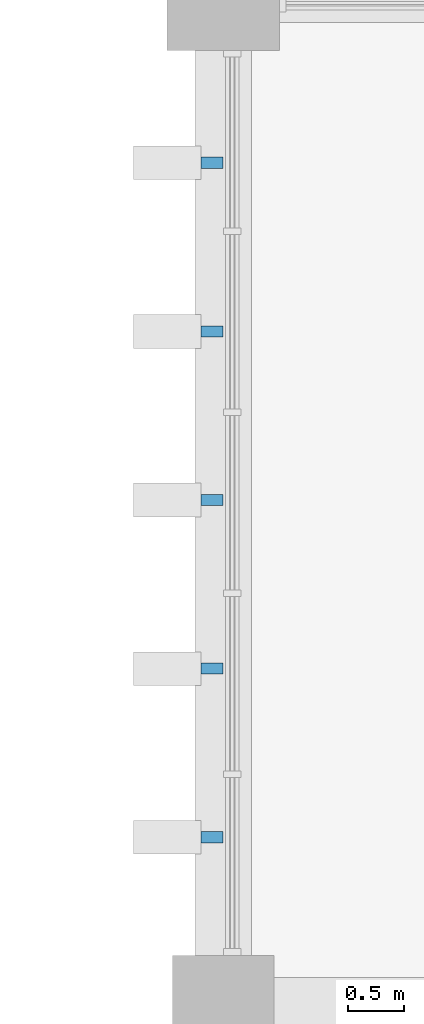
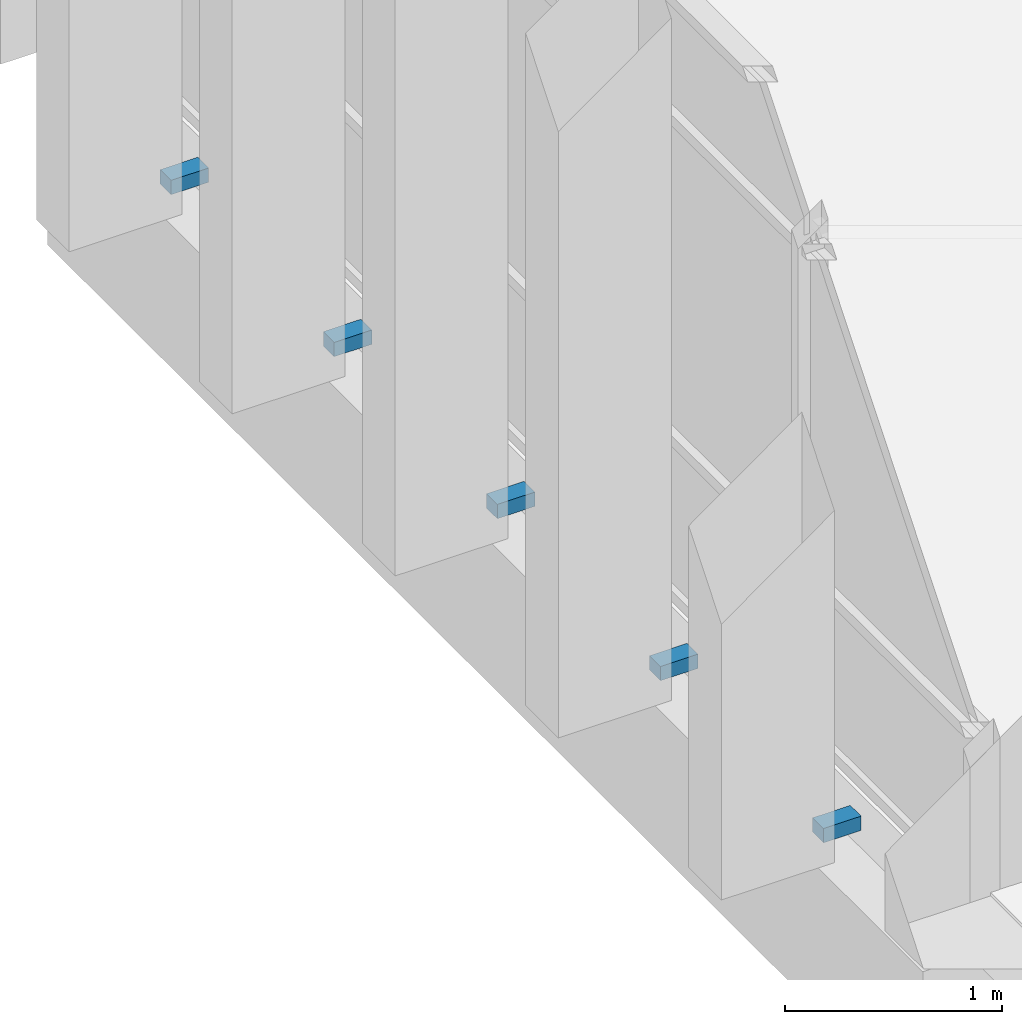
# One storey, part 56 of 74: 5 discrete accessories.
"""IFC4 building model written with IfcOpenShell, lengths in metres."""

import ifcopenshell
import ifcopenshell.guid

model = None  # the IFC model being written
_history = None  # IfcOwnerHistory: only IFC2X3 demands one
_inside = {}  # id of a spatial element -> (the spatial element, [elements in it])
_under = {}  # id of a project, library or spatial element -> (it, [spatial elements below it])
_declared = {}  # id of a project -> (the project, [libraries it declares])
_typed = {}  # id of a type object -> (the type object, [elements of that type])
_made_of = {}  # id of a material, layer set ... -> (it, [elements and type objects made of it])


def new_model(schema):
    """Start an empty IFC model of exactly this schema.

    Asked for "IFC4X3", IfcOpenShell would pick the latest addendum, in which some entities
    have other attributes; the version numbers below select the first issue.
    IFC2X3 requires an IfcOwnerHistory on every rooted entity: one is made here for all.
    """
    global model, _history
    if schema == "IFC4X3":
        model = ifcopenshell.file(schema_version=(4, 3, 0, 0))
    else:
        model = ifcopenshell.file(schema=schema)
    _inside.clear()
    _under.clear()
    _declared.clear()
    _typed.clear()
    _made_of.clear()
    _history = None
    if model.schema == "IFC2X3":
        org = make("IfcOrganization", Name="unknown")
        user = make(
            "IfcPersonAndOrganization",
            ThePerson=make("IfcPerson", FamilyName="unknown"),
            TheOrganization=org,
        )
        app = make(
            "IfcApplication",
            ApplicationDeveloper=org,
            Version="unknown",
            ApplicationFullName="unknown",
            ApplicationIdentifier="unknown",
        )
        _history = make(
            "IfcOwnerHistory",
            OwningUser=user,
            OwningApplication=app,
            ChangeAction="ADDED",
            CreationDate=0,
        )
    return model


def make(cls, **values):
    """One entity of the class cls with the attributes given. An attribute that is None is left unset."""
    return model.create_entity(
        cls, **{name: value for name, value in values.items() if value is not None}
    )


def rooted(cls, **values):
    """An entity with a GlobalId (a new one), such as an element, a storey or a relation."""
    return make(cls, GlobalId=ifcopenshell.guid.new(), OwnerHistory=_history, **values)


def si_unit(unit_type, name, prefix=None):
    """IfcSIUnit, for example si_unit("LENGTHUNIT", "METRE", prefix="MILLI")."""
    return make("IfcSIUnit", UnitType=unit_type, Prefix=prefix, Name=name)


def assignment(units):
    """IfcUnitAssignment: the units of a project."""
    return None if units is None else make("IfcUnitAssignment", Units=units)


def point(xyz):
    """IfcCartesianPoint."""
    return None if xyz is None else make("IfcCartesianPoint", Coordinates=xyz)


def direction(xyz):
    """IfcDirection."""
    return None if xyz is None else make("IfcDirection", DirectionRatios=xyz)


def frame(location, z_axis=None, x_axis=None):
    """IfcAxis2Placement3D, a coordinate frame: its origin and axes. An axis left out is left unset."""
    return make(
        "IfcAxis2Placement3D",
        Location=point(location),
        Axis=direction(z_axis),
        RefDirection=direction(x_axis),
    )


def origin():
    """The frame at (0, 0, 0) with its axes left unset."""
    return frame((0.0, 0.0, 0.0))


def place(relative_to, where):
    """IfcLocalPlacement: puts the frame where relative to a parent placement (None: the world)."""
    return make(
        "IfcLocalPlacement", PlacementRelTo=relative_to, RelativePlacement=where
    )


def context(
    kind, dimensions, precision=None, world=None, true_north=None, identifier=None
):
    """IfcGeometricRepresentationContext, for example the 3D "Model" context."""
    return make(
        "IfcGeometricRepresentationContext",
        ContextIdentifier=identifier,
        ContextType=kind,
        CoordinateSpaceDimension=dimensions,
        Precision=precision,
        WorldCoordinateSystem=world,
        TrueNorth=true_north,
    )


def subcontext(parent, identifier, kind, view, scale=None):
    """IfcGeometricRepresentationSubContext, for example "Body" below "Model"."""
    return make(
        "IfcGeometricRepresentationSubContext",
        ContextIdentifier=identifier,
        ContextType=kind,
        ParentContext=parent,
        TargetScale=scale,
        TargetView=view,
    )


def project(units=None, contexts=None):
    """IfcProject with its units and contexts."""
    return rooted(
        "IfcProject",
        Name="project",
        RepresentationContexts=contexts,
        UnitsInContext=assignment(units),
    )


def spatial(cls, under=None, at=None, **own):
    """A site, building, storey or space (cls), placed at a placement, below another one or the project."""
    s = rooted(cls, ObjectPlacement=at, **own)
    if under is not None:
        _under.setdefault(under.id(), (under, []))[1].append(s)
    return s


def polyline(points):
    """IfcPolyline through the points."""
    return make("IfcPolyline", Points=[point(p) for p in points])


def outline(outer, holes=None, kind="AREA"):
    """IfcArbitraryClosedProfileDef: a profile drawn as a closed curve; with holes, ...WithVoids."""
    if holes is None:
        return make("IfcArbitraryClosedProfileDef", ProfileType=kind, OuterCurve=outer)
    return make(
        "IfcArbitraryProfileDefWithVoids",
        ProfileType=kind,
        OuterCurve=outer,
        InnerCurves=holes,
    )


def extrude(swept, where, along, depth):
    """IfcExtrudedAreaSolid: the profile swept, set in the frame where, extruded along a direction by depth."""
    return make(
        "IfcExtrudedAreaSolid",
        SweptArea=swept,
        Position=where,
        ExtrudedDirection=direction(along),
        Depth=depth,
    )


def shape(context_of_items, identifier, shape_type, items):
    """IfcShapeRepresentation: the items that make up one representation, for example the "Body"."""
    return make(
        "IfcShapeRepresentation",
        ContextOfItems=context_of_items,
        RepresentationIdentifier=identifier,
        RepresentationType=shape_type,
        Items=items,
    )


def source(mapping_origin, context_of_items, identifier, shape_type, items):
    """IfcRepresentationMap: a shape defined once, which mapped items show again and again."""
    return make(
        "IfcRepresentationMap",
        MappingOrigin=mapping_origin,
        MappedRepresentation=shape(context_of_items, identifier, shape_type, items),
    )


def transform(
    local_origin,
    x_axis=None,
    y_axis=None,
    z_axis=None,
    scale=None,
    scale2=None,
    scale3=None,
    uniform=True,
):
    """IfcCartesianTransformationOperator3D, or its non-uniform kind. x_axis, y_axis, z_axis: its Axis1, 2, 3."""
    if uniform:
        return make(
            "IfcCartesianTransformationOperator3D",
            Axis1=direction(x_axis),
            Axis2=direction(y_axis),
            LocalOrigin=point(local_origin),
            Scale=scale,
            Axis3=direction(z_axis),
        )
    return make(
        "IfcCartesianTransformationOperator3DnonUniform",
        Axis1=direction(x_axis),
        Axis2=direction(y_axis),
        LocalOrigin=point(local_origin),
        Scale=scale,
        Axis3=direction(z_axis),
        Scale2=scale2,
        Scale3=scale3,
    )


def mapped(mapping_source, mapping_target):
    """IfcMappedItem: shows the shape of a source again, moved by a transform."""
    return make(
        "IfcMappedItem", MappingSource=mapping_source, MappingTarget=mapping_target
    )


def material(Name=None, Category=None):
    """IfcMaterial."""
    return make("IfcMaterial", Name=Name, Category=Category)


def made_of(thing, what):
    """Note that an element or type object is made of a material, layer set ...; save() writes the relation."""
    if what is not None:
        _made_of.setdefault(what.id(), (what, []))[1].append(thing)
    return thing


def type_object(cls, material=None, **own):
    """A type object (cls), such as IfcWallType, which elements share."""
    return made_of(rooted(cls, **own), material)


def element(
    cls,
    number,
    at=None,
    inside=None,
    cuts=None,
    type_object=None,
    material=None,
    context=None,
    identifier="Body",
    shape_type=None,
    held_by="IfcProductDefinitionShape",
    body=None,
    shapes=None,
    **own,
):
    """One element of the class cls, such as IfcWall. Its Tag is "e" and its number.

    at: its placement. inside: the storey or other place that contains it. cuts: it is an
    opening in that element (IfcRelVoidsElement). A single representation is given by context,
    identifier, shape_type and body (its items); several are given by shapes. held_by: the class
    of the entity that holds the representations. save() writes the other relations.
    """
    e = rooted(cls, Tag="e%d" % number, ObjectPlacement=at, **own)
    if body is not None:
        shapes = [shape(context, identifier, shape_type, body)]
    if shapes is not None:
        e.Representation = make(held_by, Representations=shapes)
    if inside is not None:
        _inside.setdefault(inside.id(), (inside, []))[1].append(e)
    if cuts is not None:
        rooted(
            "IfcRelVoidsElement", RelatingBuildingElement=cuts, RelatedOpeningElement=e
        )
    if type_object is not None:
        _typed.setdefault(type_object.id(), (type_object, []))[1].append(e)
    return made_of(e, material)


def aggregate(whole, parts):
    """IfcRelAggregates: a whole, such as a stair, and the parts it consists of."""
    return rooted("IfcRelAggregates", RelatingObject=whole, RelatedObjects=parts)


def save(model, path):
    """Write the relations noted so far, then the file.

    IfcRelAggregates (storeys below a building ...), IfcRelContainedInSpatialStructure (elements
    in a storey), IfcRelDefinesByType, IfcRelAssociatesMaterial and IfcRelDeclares: one each for
    every whole, place, type object, material and project.
    """
    for whole, parts in _under.values():
        aggregate(whole, parts)
    for where, things in _inside.values():
        rooted(
            "IfcRelContainedInSpatialStructure",
            RelatedElements=things,
            RelatingStructure=where,
        )
    for kind, things in _typed.values():
        rooted("IfcRelDefinesByType", RelatedObjects=things, RelatingType=kind)
    for what, things in _made_of.values():
        rooted("IfcRelAssociatesMaterial", RelatedObjects=things, RelatingMaterial=what)
    for by, libraries in _declared.values():
        rooted("IfcRelDeclares", RelatingContext=by, RelatedDefinitions=libraries)
    model.write(path)


model = new_model("IFC4")

# Units and contexts
model_context = context("Model", 3, precision=1e-05, world=origin(), true_north=direction((0.0, 1.0)))
body_context = subcontext(model_context, "Body", "Model", "MODEL_VIEW")
ifc_project = project(units=[si_unit("LENGTHUNIT", "METRE"), si_unit("AREAUNIT", "SQUARE_METRE"), si_unit("VOLUMEUNIT", "CUBIC_METRE"), si_unit("PLANEANGLEUNIT", "RADIAN"), si_unit("MASSUNIT", "GRAM", prefix="KILO")], contexts=[model_context])

# Site, building, storey
site_placement = place(None, origin())
site = spatial("IfcSite", under=ifc_project, at=site_placement, CompositionType="ELEMENT")
building_placement = place(site_placement, origin())
building = spatial("IfcBuilding", under=site, at=building_placement, Name="Merrow Basin Faculty of Sciences", CompositionType="ELEMENT")
storey_placement = place(building_placement, frame((0.0, 0.0, 13.5)))
storey = spatial("IfcBuildingStorey", under=building, at=storey_placement, Name="L03", CompositionType="ELEMENT", Elevation=13.5)

# Discrete accessories
ifc_material = material(Name="Steel ASTM A572 Gr 50", Category="steel")
discrete_accessory_type = type_object("IfcDiscreteAccessoryType", Name="Steel T bracket 100 x 80 fin", PredefinedType="BRACKET", material=ifc_material)
shared_shape = source(origin(), body_context, "Body", "SweptSolid", [
    extrude(outline(polyline([(0.0, 0.0), (0.10009765625, 0.0), (0.10009765625, 0.080078125), (0.0, 0.080078125), (0.0, 0.0)])), origin(), (0.0, 0.0, 1.0), 0.199951171875),
])
for number, where, z_axis, x_axis, name in (
    (1, (18.0, 161.550048828125, -0.199951171875), (-1.0, 0.0, 0.0), (0.0, -1.0, 0.0), "Fin bracket WL03"),
    (2, (18.0, 163.050048828125, -0.199951171875), (-1.0, 0.0, 0.0), (0.0, -1.0, 0.0), "Fin bracket WL03"),
    (3, (18.0, 164.550048828125, -0.199951171875), (-1.0, 0.0, 0.0), (0.0, -1.0, 0.0), "Fin bracket WL03"),
    (4, (18.0, 166.050048828125, -0.199951171875), (-1.0, 0.0, 0.0), (0.0, -1.0, 0.0), "Fin bracket WL03"),
    (5, (18.0, 167.550048828125, -0.199951171875), (-1.0, 0.0, 0.0), (0.0, -1.0, 0.0), "Fin bracket WL03"),
):
    element("IfcDiscreteAccessory", number, at=place(storey_placement, frame(where, z_axis=z_axis, x_axis=x_axis)), inside=storey, type_object=discrete_accessory_type, Name=name, PredefinedType="BRACKET", context=body_context, shape_type="MappedRepresentation", body=[
        mapped(shared_shape, transform((0.0, 0.0, 0.0), scale=1.0)),
    ])

save(model, "model.ifc")
